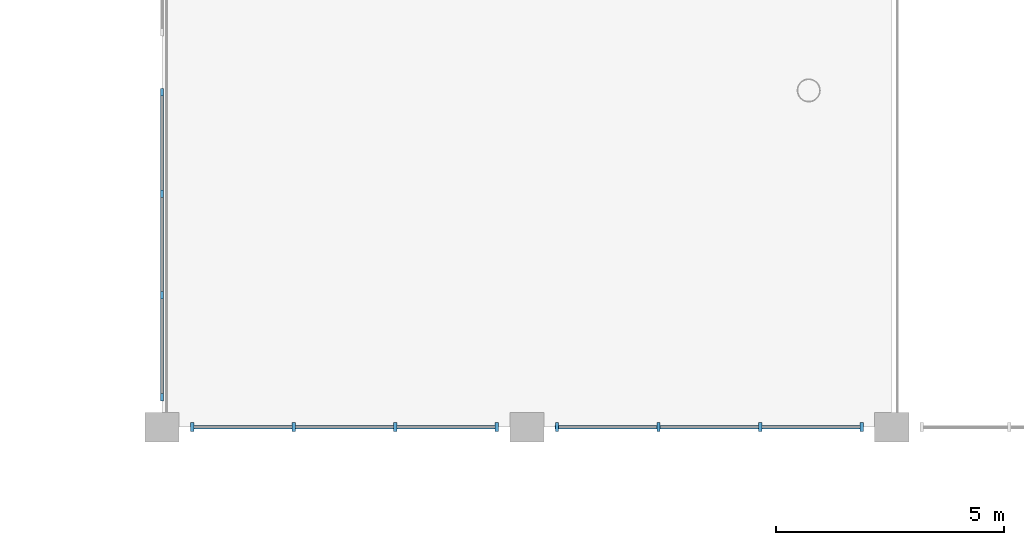
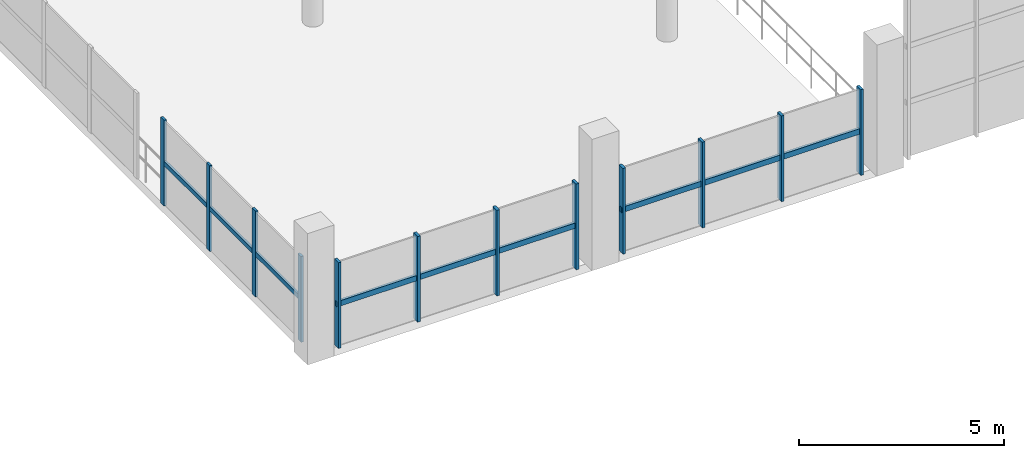
# One storey, part 21 of 123: 15 members, 3 elements without a shape of their own.
"""IFC4 building model written with IfcOpenShell, lengths in metres."""

from ifc_helpers import new_model, si_unit, derived_unit, direction, frame, origin, origin_2d, place, context, subcontext, project, spatial, rectangle, extrude, material, layer, layer_set, material_profile, profile_set, type_object, element, aggregate, save


model = new_model("IFC4")

# Units and contexts
model_context = context("Model", 3, precision=1e-05, world=origin(), true_north=direction((0.0, 1.0)))
body_context = subcontext(model_context, "Body", "Model", "MODEL_VIEW")
ifc_project = project(units=[si_unit("LENGTHUNIT", "METRE"), si_unit("AREAUNIT", "SQUARE_METRE"), si_unit("VOLUMEUNIT", "CUBIC_METRE"), si_unit("PLANEANGLEUNIT", "RADIAN"), si_unit("MASSUNIT", "GRAM", prefix="KILO"), si_unit("THERMODYNAMICTEMPERATUREUNIT", "KELVIN"), derived_unit("THERMALTRANSMITTANCEUNIT", [(si_unit("POWERUNIT", "WATT"), 1), (si_unit("AREAUNIT", "SQUARE_METRE"), -1), (si_unit("THERMODYNAMICTEMPERATUREUNIT", "KELVIN"), -1)])], contexts=[model_context])

# Site, building, storey
site_placement = place(None, origin())
site = spatial("IfcSite", under=ifc_project, at=site_placement, CompositionType="ELEMENT")
building_placement = place(site_placement, origin())
building = spatial("IfcBuilding", under=site, at=building_placement, Name="Haiyu Intermodal Mobility Hub", CompositionType="ELEMENT")
storey_placement = place(building_placement, frame((0.0, 0.0, 5.60009765625)))
storey = spatial("IfcBuildingStorey", under=building, at=storey_placement, Name="L01", CompositionType="ELEMENT", Elevation=5.60009765625)

# Curtain wall, members
ifc_material_1 = material(Name="Low-e laminated insulating glass", Category="glass")
ifc_layer_1 = layer(ifc_material_1, 0.219970703125)
ifc_layer_set_1 = layer_set([ifc_layer_1], Name="Low-e laminated insulating glass")
curtain_wall_type_1 = type_object("IfcCurtainWallType", Name="CW-CW01", PredefinedType="NOTDEFINED", material=ifc_layer_set_1)
curtain_wall_1_placement = place(storey_placement, origin())
curtain_wall_1 = element("IfcCurtainWall", 1, at=curtain_wall_1_placement, inside=storey, type_object=curtain_wall_type_1, Name="Curtain Wall CW-V1S-L01-002", PredefinedType="NOTDEFINED")
ifc_material_2 = material(Name="Anodised aluminium 6063-T6", Category="aluminium")
ifc_material_profile_1 = material_profile(ifc_material_2, rectangle(XDim=0.074951171875, YDim=0.199951171875, at=origin_2d()), Name="ALU75x200")
ifc_profile_set_1 = profile_set([ifc_material_profile_1], Name="Anodised aluminium 6063-T6")
member_type_1 = type_object("IfcMemberType", Name="CWM-ML01", PredefinedType="MULLION", material=ifc_profile_set_1)
member_1_placement = place(storey_placement, frame((62.659912109375, 40.0, 0.0), z_axis=(0.0, 0.0, 1.0), x_axis=(1.0, 0.0, 0.0)))
member_1 = element("IfcMember", 2, at=member_1_placement, type_object=member_type_1, Name="CW-V1S-L01-002-ML01", PredefinedType="MULLION", context=body_context, shape_type="SweptSolid", body=[
    extrude(rectangle(XDim=0.074951171875, YDim=0.199951171875, at=origin_2d()), origin(), (0.0, 0.0, 1.0), 2.5498046875),
])
member_2_placement = place(storey_placement, frame((64.886962890625, 40.0, 0.0), z_axis=(0.0, 0.0, 1.0), x_axis=(1.0, 0.0, 0.0)))
member_2 = element("IfcMember", 3, at=member_2_placement, type_object=member_type_1, Name="CW-V1S-L01-002-ML02", PredefinedType="MULLION", context=body_context, shape_type="SweptSolid", body=[
    extrude(rectangle(XDim=0.074951171875, YDim=0.199951171875, at=origin_2d()), origin(), (0.0, 0.0, 1.0), 2.5498046875),
])
member_3_placement = place(storey_placement, frame((67.113037109375, 40.0, 0.0), z_axis=(0.0, 0.0, 1.0), x_axis=(1.0, 0.0, 0.0)))
member_3 = element("IfcMember", 4, at=member_3_placement, type_object=member_type_1, Name="CW-V1S-L01-002-ML03", PredefinedType="MULLION", context=body_context, shape_type="SweptSolid", body=[
    extrude(rectangle(XDim=0.074951171875, YDim=0.199951171875, at=origin_2d()), origin(), (0.0, 0.0, 1.0), 2.5498046875),
])
member_4_placement = place(storey_placement, frame((69.340087890625, 40.0, 0.0), z_axis=(0.0, 0.0, 1.0), x_axis=(1.0, 0.0, 0.0)))
member_4 = element("IfcMember", 5, at=member_4_placement, type_object=member_type_1, Name="CW-V1S-L01-002-ML04", PredefinedType="MULLION", context=body_context, shape_type="SweptSolid", body=[
    extrude(rectangle(XDim=0.074951171875, YDim=0.199951171875, at=origin_2d()), origin(), (0.0, 0.0, 1.0), 2.5498046875),
])

curtain_wall_2_placement = place(storey_placement, origin())
curtain_wall_2 = element("IfcCurtainWall", 6, at=curtain_wall_2_placement, inside=storey, type_object=curtain_wall_type_1, Name="Curtain Wall CW-V1S-L01-004", PredefinedType="NOTDEFINED")
member_5_placement = place(storey_placement, frame((70.659912109375, 40.0, 0.0), z_axis=(0.0, 0.0, 1.0), x_axis=(1.0, 0.0, 0.0)))
member_5 = element("IfcMember", 7, at=member_5_placement, type_object=member_type_1, Name="CW-V1S-L01-004-ML01", PredefinedType="MULLION", context=body_context, shape_type="SweptSolid", body=[
    extrude(rectangle(XDim=0.074951171875, YDim=0.199951171875, at=origin_2d()), origin(), (0.0, 0.0, 1.0), 2.5498046875),
])
member_6_placement = place(storey_placement, frame((72.886962890625, 40.0, 0.0), z_axis=(0.0, 0.0, 1.0), x_axis=(1.0, 0.0, 0.0)))
member_6 = element("IfcMember", 8, at=member_6_placement, type_object=member_type_1, Name="CW-V1S-L01-004-ML02", PredefinedType="MULLION", context=body_context, shape_type="SweptSolid", body=[
    extrude(rectangle(XDim=0.074951171875, YDim=0.199951171875, at=origin_2d()), origin(), (0.0, 0.0, 1.0), 2.5498046875),
])
member_7_placement = place(storey_placement, frame((75.113037109375, 40.0, 0.0), z_axis=(0.0, 0.0, 1.0), x_axis=(1.0, 0.0, 0.0)))
member_7 = element("IfcMember", 9, at=member_7_placement, type_object=member_type_1, Name="CW-V1S-L01-004-ML03", PredefinedType="MULLION", context=body_context, shape_type="SweptSolid", body=[
    extrude(rectangle(XDim=0.074951171875, YDim=0.199951171875, at=origin_2d()), origin(), (0.0, 0.0, 1.0), 2.5498046875),
])
member_8_placement = place(storey_placement, frame((77.340087890625, 40.0, 0.0), z_axis=(0.0, 0.0, 1.0), x_axis=(1.0, 0.0, 0.0)))
member_8 = element("IfcMember", 10, at=member_8_placement, type_object=member_type_1, Name="CW-V1S-L01-004-ML04", PredefinedType="MULLION", context=body_context, shape_type="SweptSolid", body=[
    extrude(rectangle(XDim=0.074951171875, YDim=0.199951171875, at=origin_2d()), origin(), (0.0, 0.0, 1.0), 2.5498046875),
])

ifc_layer_2 = layer(ifc_material_1, 0.25)
ifc_layer_set_2 = layer_set([ifc_layer_2], Name="Low-e laminated insulating glass")
curtain_wall_type_2 = type_object("IfcCurtainWallType", Name="CW-CW02", PredefinedType="NOTDEFINED", material=ifc_layer_set_2)
curtain_wall_3_placement = place(storey_placement, origin())
curtain_wall_3 = element("IfcCurtainWall", 11, at=curtain_wall_3_placement, inside=storey, type_object=curtain_wall_type_2, Name="Curtain Wall CW-V1W-L01-033", PredefinedType="NOTDEFINED")
ifc_material_profile_2 = material_profile(ifc_material_2, rectangle(XDim=0.06494140625, YDim=0.1650390625, at=origin_2d()), Name="ALU65x165")
ifc_profile_set_2 = profile_set([ifc_material_profile_2], Name="Anodised aluminium 6063-T6")
member_type_2 = type_object("IfcMemberType", Name="CWM-ML02", PredefinedType="MULLION", material=ifc_profile_set_2)
member_9_placement = place(storey_placement, frame((62.0, 47.340087890625, 0.0), z_axis=(0.0, 0.0, 1.0), x_axis=(1.0, 0.0, 0.0)))
member_9 = element("IfcMember", 12, at=member_9_placement, type_object=member_type_2, Name="CW-V1W-L01-033-ML01", PredefinedType="MULLION", context=body_context, shape_type="SweptSolid", body=[
    extrude(rectangle(XDim=0.06494140625, YDim=0.1650390625, at=origin_2d()), origin(), (0.0, 0.0, 1.0), 2.5498046875),
])
member_10_placement = place(storey_placement, frame((62.0, 45.113037109375, 0.0), z_axis=(0.0, 0.0, 1.0), x_axis=(1.0, 0.0, 0.0)))
member_10 = element("IfcMember", 13, at=member_10_placement, type_object=member_type_2, Name="CW-V1W-L01-033-ML02", PredefinedType="MULLION", context=body_context, shape_type="SweptSolid", body=[
    extrude(rectangle(XDim=0.06494140625, YDim=0.1650390625, at=origin_2d()), origin(), (0.0, 0.0, 1.0), 2.5498046875),
])
member_11_placement = place(storey_placement, frame((62.0, 42.886962890625, 0.0), z_axis=(0.0, 0.0, 1.0), x_axis=(1.0, 0.0, 0.0)))
member_11 = element("IfcMember", 14, at=member_11_placement, type_object=member_type_2, Name="CW-V1W-L01-033-ML03", PredefinedType="MULLION", context=body_context, shape_type="SweptSolid", body=[
    extrude(rectangle(XDim=0.06494140625, YDim=0.1650390625, at=origin_2d()), origin(), (0.0, 0.0, 1.0), 2.5498046875),
])
member_12_placement = place(storey_placement, frame((62.0, 40.659912109375, 0.0), z_axis=(0.0, 0.0, 1.0), x_axis=(1.0, 0.0, 0.0)))
member_12 = element("IfcMember", 15, at=member_12_placement, type_object=member_type_2, Name="CW-V1W-L01-033-ML04", PredefinedType="MULLION", context=body_context, shape_type="SweptSolid", body=[
    extrude(rectangle(XDim=0.06494140625, YDim=0.1650390625, at=origin_2d()), origin(), (0.0, 0.0, 1.0), 2.5498046875),
])

# Member
ifc_material_profile_3 = material_profile(ifc_material_2, rectangle(XDim=0.074951171875, YDim=0.159912109375, at=origin_2d()), Name="ALU75x160")
ifc_profile_set_3 = profile_set([ifc_material_profile_3], Name="Anodised aluminium 6063-T6")
member_type_3 = type_object("IfcMemberType", Name="CWM-TR01", PredefinedType="USERDEFINED", material=ifc_profile_set_3)
member_13_placement = place(storey_placement, frame((62.6201171875, 40.0, 1.27490234375), z_axis=(1.0, 0.0, 0.0), x_axis=(0.0, 1.0, 0.0)))
member_13 = element("IfcMember", 16, at=member_13_placement, type_object=member_type_3, Name="CW-V1S-L01-002-TR01", ObjectType="TRANSOM", PredefinedType="USERDEFINED", context=body_context, shape_type="SweptSolid", body=[
    extrude(rectangle(XDim=0.074951171875, YDim=0.159912109375, at=origin_2d()), origin(), (0.0, 0.0, 1.0), 6.759765625),
])

aggregate(curtain_wall_1, [member_1, member_2, member_3, member_4, member_13])

member_14_placement = place(storey_placement, frame((70.6201171875, 40.0, 1.27490234375), z_axis=(1.0, 0.0, 0.0), x_axis=(0.0, 1.0, 0.0)))
member_14 = element("IfcMember", 17, at=member_14_placement, type_object=member_type_3, Name="CW-V1S-L01-004-TR01", ObjectType="TRANSOM", PredefinedType="USERDEFINED", context=body_context, shape_type="SweptSolid", body=[
    extrude(rectangle(XDim=0.074951171875, YDim=0.159912109375, at=origin_2d()), origin(), (0.0, 0.0, 1.0), 6.759765625),
])

aggregate(curtain_wall_2, [member_5, member_6, member_7, member_8, member_14])

ifc_material_profile_4 = material_profile(ifc_material_2, rectangle(XDim=0.06494140625, YDim=0.135009765625, at=origin_2d()), Name="ALU65x135")
ifc_profile_set_4 = profile_set([ifc_material_profile_4], Name="Anodised aluminium 6063-T6")
member_type_4 = type_object("IfcMemberType", Name="CWM-TR02", PredefinedType="USERDEFINED", material=ifc_profile_set_4)
member_15_placement = place(storey_placement, frame((62.0, 47.3798828125, 1.27490234375), z_axis=(0.0, -1.0, 0.0), x_axis=(1.0, 0.0, 0.0)))
member_15 = element("IfcMember", 18, at=member_15_placement, type_object=member_type_4, Name="CW-V1W-L01-033-TR01", ObjectType="TRANSOM", PredefinedType="USERDEFINED", context=body_context, shape_type="SweptSolid", body=[
    extrude(rectangle(XDim=0.06494140625, YDim=0.135009765625, at=origin_2d()), origin(), (0.0, 0.0, 1.0), 6.759765625),
])

aggregate(curtain_wall_3, [member_9, member_10, member_11, member_12, member_15])

save(model, "model.ifc")
